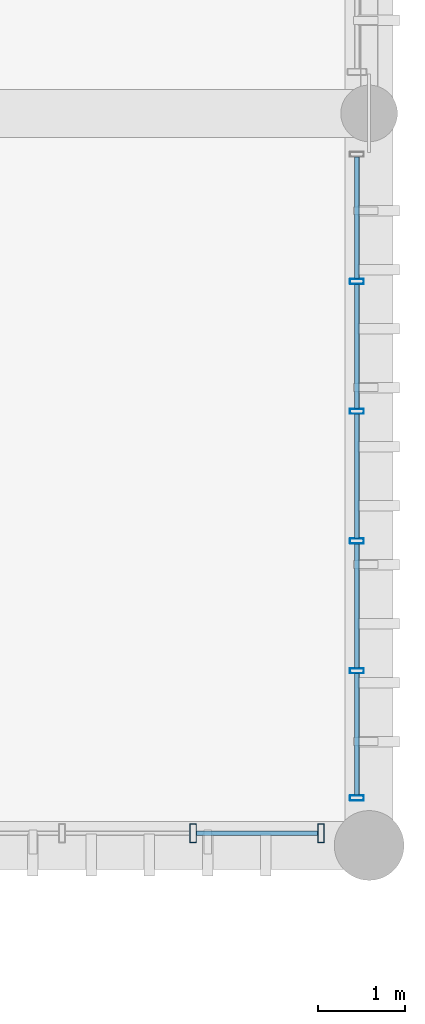
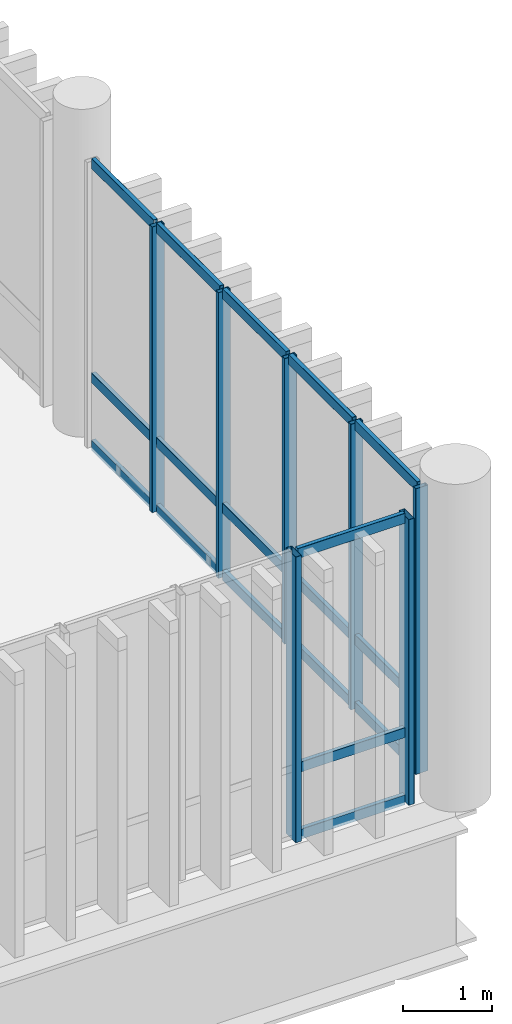
# One storey, part 31 of 53: 25 members, 2 elements without a shape of their own.
"""IFC4 building model written with IfcOpenShell, lengths in metres."""

from ifc_helpers import new_model, si_unit, direction, frame, origin_with_axes, origin_2d_with_axis, place, context, subcontext, project, spatial, hollow_rectangle, extrude, material, material_profile, profile_set, type_object, element, aggregate, save


model = new_model("IFC4")

# Units and contexts
model_context = context("Model", 3, precision=1e-05, world=origin_with_axes(), true_north=direction((0.0, 1.0)))
body_context = subcontext(model_context, "Body", "Model", "MODEL_VIEW")
ifc_project = project(units=[si_unit("LENGTHUNIT", "METRE"), si_unit("AREAUNIT", "SQUARE_METRE"), si_unit("VOLUMEUNIT", "CUBIC_METRE"), si_unit("PLANEANGLEUNIT", "RADIAN"), si_unit("MASSUNIT", "GRAM", prefix="KILO"), si_unit("THERMODYNAMICTEMPERATUREUNIT", "KELVIN")], contexts=[model_context])

# Site, building, storey
site_placement = place(None, origin_with_axes())
site = spatial("IfcSite", under=ifc_project, at=site_placement, CompositionType="ELEMENT")
building_placement = place(site_placement, origin_with_axes())
building = spatial("IfcBuilding", under=site, at=building_placement, Name="Montbau Bow Law Courts", CompositionType="ELEMENT")
storey_placement = place(building_placement, frame((0.0, 0.0, 39.0), z_axis=(0.0, 0.0, 1.0), x_axis=(1.0, 0.0, 0.0)))
storey = spatial("IfcBuildingStorey", under=building, at=storey_placement, Name="L08", CompositionType="ELEMENT", Elevation=39.0)

# Curtain wall, members
ifc_material = material(Name="Thermally Broken Extruded Aluminium AA 6063-T6", Category="aluminium")
curtain_wall_type = type_object("IfcCurtainWallType", Name="CW-CRM-03", PredefinedType="NOTDEFINED", material=ifc_material)
curtain_wall_1_placement = place(None, frame((162.868, 86.54, 39.0), z_axis=(0.0, 0.0, 1.0), x_axis=(1.0, 0.0, 0.0)))
curtain_wall_1 = element("IfcCurtainWall", 1, at=curtain_wall_1_placement, inside=storey, type_object=curtain_wall_type, Name="CW-L08-375:cw_0375", PredefinedType="NOTDEFINED")
ifc_material_profile_1 = material_profile(ifc_material, hollow_rectangle(XDim=0.075, YDim=0.22, WallThickness=0.005, InnerFilletRadius=0.01, OuterFilletRadius=0.005, at=origin_2d_with_axis()), Name="CWM-220X75", Category="Main", Priority=0)
ifc_profile_set_1 = profile_set([ifc_material_profile_1], Name="Thermally Broken Extruded Aluminium AA 6063-T6")
member_type_1 = type_object("IfcMemberType", Name="M-MUL-01", PredefinedType="MULLION", material=ifc_profile_set_1)
member_1_placement = place(None, frame((167.381, 86.54, 39.0), z_axis=(0.0, 0.0, 1.0), x_axis=(1.0, 0.0, 0.0)))
member_1 = element("IfcMember", 2, at=member_1_placement, type_object=member_type_1, Name="CW-L08-375-M04:cw_0375_M04", PredefinedType="MULLION", context=body_context, shape_type="SweptSolid", body=[
    extrude(hollow_rectangle(XDim=0.075, YDim=0.22, WallThickness=0.005, InnerFilletRadius=0.01, OuterFilletRadius=0.005, at=origin_2d_with_axis()), origin_with_axes(), (0.0, 0.0, 1.0), 3.92),
])
member_2_placement = place(None, frame((168.847, 86.54, 39.0), z_axis=(0.0, 0.0, 1.0), x_axis=(1.0, 0.0, 0.0)))
member_2 = element("IfcMember", 3, at=member_2_placement, type_object=member_type_1, Name="CW-L08-375-M05:cw_0375_M05", PredefinedType="MULLION", context=body_context, shape_type="SweptSolid", body=[
    extrude(hollow_rectangle(XDim=0.075, YDim=0.22, WallThickness=0.005, InnerFilletRadius=0.01, OuterFilletRadius=0.005, at=origin_2d_with_axis()), origin_with_axes(), (0.0, 0.0, 1.0), 3.92),
])

curtain_wall_2_placement = place(None, frame((169.26, 86.915, 39.0), z_axis=(0.0, 0.0, 1.0), x_axis=(1.0, 0.0, 0.0)))
curtain_wall_2 = element("IfcCurtainWall", 4, at=curtain_wall_2_placement, inside=storey, type_object=curtain_wall_type, Name="CW-L08-383:cw_0383", PredefinedType="NOTDEFINED")
ifc_material_profile_2 = material_profile(ifc_material, hollow_rectangle(XDim=0.06, YDim=0.16, WallThickness=0.004, InnerFilletRadius=0.008, OuterFilletRadius=0.004, at=origin_2d_with_axis()), Name="CWM-160X60", Category="Main", Priority=0)
ifc_profile_set_2 = profile_set([ifc_material_profile_2], Name="Thermally Broken Extruded Aluminium AA 6063-T6")
member_type_2 = type_object("IfcMemberType", Name="M-MUL-03", PredefinedType="MULLION", material=ifc_profile_set_2)
member_3_placement = place(None, frame((169.26, 86.945, 39.0), z_axis=(0.0, 0.0, 1.0), x_axis=(0.0, 1.0, 0.0)))
member_3 = element("IfcMember", 5, at=member_3_placement, type_object=member_type_2, Name="CW-L08-383-M01:cw_0383_M01", PredefinedType="MULLION", context=body_context, shape_type="SweptSolid", body=[
    extrude(hollow_rectangle(XDim=0.06, YDim=0.16, WallThickness=0.004, InnerFilletRadius=0.008, OuterFilletRadius=0.004, at=origin_2d_with_axis()), origin_with_axes(), (0.0, 0.0, 1.0), 3.92),
])
member_4_placement = place(None, frame((169.26, 88.404, 39.0), z_axis=(0.0, 0.0, 1.0), x_axis=(0.0, 1.0, 0.0)))
member_4 = element("IfcMember", 6, at=member_4_placement, type_object=member_type_2, Name="CW-L08-383-M02:cw_0383_M02", PredefinedType="MULLION", context=body_context, shape_type="SweptSolid", body=[
    extrude(hollow_rectangle(XDim=0.06, YDim=0.16, WallThickness=0.004, InnerFilletRadius=0.008, OuterFilletRadius=0.004, at=origin_2d_with_axis()), origin_with_axes(), (0.0, 0.0, 1.0), 3.92),
])
member_5_placement = place(None, frame((169.26, 89.893, 39.0), z_axis=(0.0, 0.0, 1.0), x_axis=(0.0, 1.0, 0.0)))
member_5 = element("IfcMember", 7, at=member_5_placement, type_object=member_type_2, Name="CW-L08-383-M03:cw_0383_M03", PredefinedType="MULLION", context=body_context, shape_type="SweptSolid", body=[
    extrude(hollow_rectangle(XDim=0.06, YDim=0.16, WallThickness=0.004, InnerFilletRadius=0.008, OuterFilletRadius=0.004, at=origin_2d_with_axis()), origin_with_axes(), (0.0, 0.0, 1.0), 3.92),
])
member_6_placement = place(None, frame((169.26, 91.382, 39.0), z_axis=(0.0, 0.0, 1.0), x_axis=(0.0, 1.0, 0.0)))
member_6 = element("IfcMember", 8, at=member_6_placement, type_object=member_type_2, Name="CW-L08-383-M04:cw_0383_M04", PredefinedType="MULLION", context=body_context, shape_type="SweptSolid", body=[
    extrude(hollow_rectangle(XDim=0.06, YDim=0.16, WallThickness=0.004, InnerFilletRadius=0.008, OuterFilletRadius=0.004, at=origin_2d_with_axis()), origin_with_axes(), (0.0, 0.0, 1.0), 3.92),
])
member_7_placement = place(None, frame((169.26, 92.871, 39.0), z_axis=(0.0, 0.0, 1.0), x_axis=(0.0, 1.0, 0.0)))
member_7 = element("IfcMember", 9, at=member_7_placement, type_object=member_type_2, Name="CW-L08-383-M05:cw_0383_M05", PredefinedType="MULLION", context=body_context, shape_type="SweptSolid", body=[
    extrude(hollow_rectangle(XDim=0.06, YDim=0.16, WallThickness=0.004, InnerFilletRadius=0.008, OuterFilletRadius=0.004, at=origin_2d_with_axis()), origin_with_axes(), (0.0, 0.0, 1.0), 3.92),
])

# Member
ifc_material_profile_3 = material_profile(ifc_material, hollow_rectangle(XDim=0.055, YDim=0.14, WallThickness=0.004, InnerFilletRadius=0.008, OuterFilletRadius=0.004, at=origin_2d_with_axis()), Name="CWT-140X55", Category="Main", Priority=0)
ifc_profile_set_3 = profile_set([ifc_material_profile_3], Name="Thermally Broken Extruded Aluminium AA 6063-T6")
member_type_3 = type_object("IfcMemberType", Name="M-TRN-02", PredefinedType="USERDEFINED", material=ifc_profile_set_3)
member_8_placement = place(None, frame((167.42, 86.54, 39.028), z_axis=(1.0, 0.0, 0.0), x_axis=(0.0, 1.0, 0.0)))
member_8 = element("IfcMember", 10, at=member_8_placement, type_object=member_type_3, Name="CW-L08-375-T04-1:cw_0375_T04_1", ObjectType="TRANSOM", PredefinedType="USERDEFINED", context=body_context, shape_type="SweptSolid", body=[
    extrude(hollow_rectangle(XDim=0.055, YDim=0.14, WallThickness=0.004, InnerFilletRadius=0.008, OuterFilletRadius=0.004, at=origin_2d_with_axis()), origin_with_axes(), (0.0, 0.0, 1.0), 1.388),
])

member_9_placement = place(None, frame((167.42, 86.54, 39.95), z_axis=(1.0, 0.0, 0.0), x_axis=(0.0, 1.0, 0.0)))
member_9 = element("IfcMember", 11, at=member_9_placement, type_object=member_type_3, Name="CW-L08-375-T04-2:cw_0375_T04_2", ObjectType="TRANSOM", PredefinedType="USERDEFINED", context=body_context, shape_type="SweptSolid", body=[
    extrude(hollow_rectangle(XDim=0.055, YDim=0.14, WallThickness=0.004, InnerFilletRadius=0.008, OuterFilletRadius=0.004, at=origin_2d_with_axis()), origin_with_axes(), (0.0, 0.0, 1.0), 1.388),
])

member_10_placement = place(None, frame((167.42, 86.54, 42.892), z_axis=(1.0, 0.0, 0.0), x_axis=(0.0, 1.0, 0.0)))
member_10 = element("IfcMember", 12, at=member_10_placement, type_object=member_type_3, Name="CW-L08-375-T04-3:cw_0375_T04_3", ObjectType="TRANSOM", PredefinedType="USERDEFINED", context=body_context, shape_type="SweptSolid", body=[
    extrude(hollow_rectangle(XDim=0.055, YDim=0.14, WallThickness=0.004, InnerFilletRadius=0.008, OuterFilletRadius=0.004, at=origin_2d_with_axis()), origin_with_axes(), (0.0, 0.0, 1.0), 1.388),
])

aggregate(curtain_wall_1, [member_1, member_2, member_8, member_9, member_10])

member_11_placement = place(None, frame((169.26, 86.977, 39.028), z_axis=(0.0, 1.0, 0.0), x_axis=(-1.0, 0.0, 0.0)))
member_11 = element("IfcMember", 13, at=member_11_placement, type_object=member_type_3, Name="CW-L08-383-T01-1:cw_0383_T01_1", ObjectType="TRANSOM", PredefinedType="USERDEFINED", context=body_context, shape_type="SweptSolid", body=[
    extrude(hollow_rectangle(XDim=0.055, YDim=0.14, WallThickness=0.004, InnerFilletRadius=0.008, OuterFilletRadius=0.004, at=origin_2d_with_axis()), origin_with_axes(), (0.0, 0.0, 1.0), 1.395),
])

member_12_placement = place(None, frame((169.26, 86.977, 39.95), z_axis=(0.0, 1.0, 0.0), x_axis=(-1.0, 0.0, 0.0)))
member_12 = element("IfcMember", 14, at=member_12_placement, type_object=member_type_3, Name="CW-L08-383-T01-2:cw_0383_T01_2", ObjectType="TRANSOM", PredefinedType="USERDEFINED", context=body_context, shape_type="SweptSolid", body=[
    extrude(hollow_rectangle(XDim=0.055, YDim=0.14, WallThickness=0.004, InnerFilletRadius=0.008, OuterFilletRadius=0.004, at=origin_2d_with_axis()), origin_with_axes(), (0.0, 0.0, 1.0), 1.395),
])

member_13_placement = place(None, frame((169.26, 86.977, 42.892), z_axis=(0.0, 1.0, 0.0), x_axis=(-1.0, 0.0, 0.0)))
member_13 = element("IfcMember", 15, at=member_13_placement, type_object=member_type_3, Name="CW-L08-383-T01-3:cw_0383_T01_3", ObjectType="TRANSOM", PredefinedType="USERDEFINED", context=body_context, shape_type="SweptSolid", body=[
    extrude(hollow_rectangle(XDim=0.055, YDim=0.14, WallThickness=0.004, InnerFilletRadius=0.008, OuterFilletRadius=0.004, at=origin_2d_with_axis()), origin_with_axes(), (0.0, 0.0, 1.0), 1.395),
])

member_14_placement = place(None, frame((169.26, 88.436, 39.028), z_axis=(0.0, 1.0, 0.0), x_axis=(-1.0, 0.0, 0.0)))
member_14 = element("IfcMember", 16, at=member_14_placement, type_object=member_type_3, Name="CW-L08-383-T02-1:cw_0383_T02_1", ObjectType="TRANSOM", PredefinedType="USERDEFINED", context=body_context, shape_type="SweptSolid", body=[
    extrude(hollow_rectangle(XDim=0.055, YDim=0.14, WallThickness=0.004, InnerFilletRadius=0.008, OuterFilletRadius=0.004, at=origin_2d_with_axis()), origin_with_axes(), (0.0, 0.0, 1.0), 1.425),
])

member_15_placement = place(None, frame((169.26, 88.436, 39.95), z_axis=(0.0, 1.0, 0.0), x_axis=(-1.0, 0.0, 0.0)))
member_15 = element("IfcMember", 17, at=member_15_placement, type_object=member_type_3, Name="CW-L08-383-T02-2:cw_0383_T02_2", ObjectType="TRANSOM", PredefinedType="USERDEFINED", context=body_context, shape_type="SweptSolid", body=[
    extrude(hollow_rectangle(XDim=0.055, YDim=0.14, WallThickness=0.004, InnerFilletRadius=0.008, OuterFilletRadius=0.004, at=origin_2d_with_axis()), origin_with_axes(), (0.0, 0.0, 1.0), 1.425),
])

member_16_placement = place(None, frame((169.26, 88.436, 42.892), z_axis=(0.0, 1.0, 0.0), x_axis=(-1.0, 0.0, 0.0)))
member_16 = element("IfcMember", 18, at=member_16_placement, type_object=member_type_3, Name="CW-L08-383-T02-3:cw_0383_T02_3", ObjectType="TRANSOM", PredefinedType="USERDEFINED", context=body_context, shape_type="SweptSolid", body=[
    extrude(hollow_rectangle(XDim=0.055, YDim=0.14, WallThickness=0.004, InnerFilletRadius=0.008, OuterFilletRadius=0.004, at=origin_2d_with_axis()), origin_with_axes(), (0.0, 0.0, 1.0), 1.425),
])

member_17_placement = place(None, frame((169.26, 89.925, 39.028), z_axis=(0.0, 1.0, 0.0), x_axis=(-1.0, 0.0, 0.0)))
member_17 = element("IfcMember", 19, at=member_17_placement, type_object=member_type_3, Name="CW-L08-383-T03-1:cw_0383_T03_1", ObjectType="TRANSOM", PredefinedType="USERDEFINED", context=body_context, shape_type="SweptSolid", body=[
    extrude(hollow_rectangle(XDim=0.055, YDim=0.14, WallThickness=0.004, InnerFilletRadius=0.008, OuterFilletRadius=0.004, at=origin_2d_with_axis()), origin_with_axes(), (0.0, 0.0, 1.0), 1.425),
])

member_18_placement = place(None, frame((169.26, 89.925, 39.95), z_axis=(0.0, 1.0, 0.0), x_axis=(-1.0, 0.0, 0.0)))
member_18 = element("IfcMember", 20, at=member_18_placement, type_object=member_type_3, Name="CW-L08-383-T03-2:cw_0383_T03_2", ObjectType="TRANSOM", PredefinedType="USERDEFINED", context=body_context, shape_type="SweptSolid", body=[
    extrude(hollow_rectangle(XDim=0.055, YDim=0.14, WallThickness=0.004, InnerFilletRadius=0.008, OuterFilletRadius=0.004, at=origin_2d_with_axis()), origin_with_axes(), (0.0, 0.0, 1.0), 1.425),
])

member_19_placement = place(None, frame((169.26, 89.925, 42.892), z_axis=(0.0, 1.0, 0.0), x_axis=(-1.0, 0.0, 0.0)))
member_19 = element("IfcMember", 21, at=member_19_placement, type_object=member_type_3, Name="CW-L08-383-T03-3:cw_0383_T03_3", ObjectType="TRANSOM", PredefinedType="USERDEFINED", context=body_context, shape_type="SweptSolid", body=[
    extrude(hollow_rectangle(XDim=0.055, YDim=0.14, WallThickness=0.004, InnerFilletRadius=0.008, OuterFilletRadius=0.004, at=origin_2d_with_axis()), origin_with_axes(), (0.0, 0.0, 1.0), 1.425),
])

member_20_placement = place(None, frame((169.26, 91.414, 39.028), z_axis=(0.0, 1.0, 0.0), x_axis=(-1.0, 0.0, 0.0)))
member_20 = element("IfcMember", 22, at=member_20_placement, type_object=member_type_3, Name="CW-L08-383-T04-1:cw_0383_T04_1", ObjectType="TRANSOM", PredefinedType="USERDEFINED", context=body_context, shape_type="SweptSolid", body=[
    extrude(hollow_rectangle(XDim=0.055, YDim=0.14, WallThickness=0.004, InnerFilletRadius=0.008, OuterFilletRadius=0.004, at=origin_2d_with_axis()), origin_with_axes(), (0.0, 0.0, 1.0), 1.425),
])

member_21_placement = place(None, frame((169.26, 91.414, 39.95), z_axis=(0.0, 1.0, 0.0), x_axis=(-1.0, 0.0, 0.0)))
member_21 = element("IfcMember", 23, at=member_21_placement, type_object=member_type_3, Name="CW-L08-383-T04-2:cw_0383_T04_2", ObjectType="TRANSOM", PredefinedType="USERDEFINED", context=body_context, shape_type="SweptSolid", body=[
    extrude(hollow_rectangle(XDim=0.055, YDim=0.14, WallThickness=0.004, InnerFilletRadius=0.008, OuterFilletRadius=0.004, at=origin_2d_with_axis()), origin_with_axes(), (0.0, 0.0, 1.0), 1.425),
])

member_22_placement = place(None, frame((169.26, 91.414, 42.892), z_axis=(0.0, 1.0, 0.0), x_axis=(-1.0, 0.0, 0.0)))
member_22 = element("IfcMember", 24, at=member_22_placement, type_object=member_type_3, Name="CW-L08-383-T04-3:cw_0383_T04_3", ObjectType="TRANSOM", PredefinedType="USERDEFINED", context=body_context, shape_type="SweptSolid", body=[
    extrude(hollow_rectangle(XDim=0.055, YDim=0.14, WallThickness=0.004, InnerFilletRadius=0.008, OuterFilletRadius=0.004, at=origin_2d_with_axis()), origin_with_axes(), (0.0, 0.0, 1.0), 1.425),
])

member_23_placement = place(None, frame((169.26, 92.903, 39.028), z_axis=(0.0, 1.0, 0.0), x_axis=(-1.0, 0.0, 0.0)))
member_23 = element("IfcMember", 25, at=member_23_placement, type_object=member_type_3, Name="CW-L08-383-T05-1:cw_0383_T05_1", ObjectType="TRANSOM", PredefinedType="USERDEFINED", context=body_context, shape_type="SweptSolid", body=[
    extrude(hollow_rectangle(XDim=0.055, YDim=0.14, WallThickness=0.004, InnerFilletRadius=0.008, OuterFilletRadius=0.004, at=origin_2d_with_axis()), origin_with_axes(), (0.0, 0.0, 1.0), 1.395),
])

member_24_placement = place(None, frame((169.26, 92.903, 39.95), z_axis=(0.0, 1.0, 0.0), x_axis=(-1.0, 0.0, 0.0)))
member_24 = element("IfcMember", 26, at=member_24_placement, type_object=member_type_3, Name="CW-L08-383-T05-2:cw_0383_T05_2", ObjectType="TRANSOM", PredefinedType="USERDEFINED", context=body_context, shape_type="SweptSolid", body=[
    extrude(hollow_rectangle(XDim=0.055, YDim=0.14, WallThickness=0.004, InnerFilletRadius=0.008, OuterFilletRadius=0.004, at=origin_2d_with_axis()), origin_with_axes(), (0.0, 0.0, 1.0), 1.395),
])

member_25_placement = place(None, frame((169.26, 92.903, 42.892), z_axis=(0.0, 1.0, 0.0), x_axis=(-1.0, 0.0, 0.0)))
member_25 = element("IfcMember", 27, at=member_25_placement, type_object=member_type_3, Name="CW-L08-383-T05-3:cw_0383_T05_3", ObjectType="TRANSOM", PredefinedType="USERDEFINED", context=body_context, shape_type="SweptSolid", body=[
    extrude(hollow_rectangle(XDim=0.055, YDim=0.14, WallThickness=0.004, InnerFilletRadius=0.008, OuterFilletRadius=0.004, at=origin_2d_with_axis()), origin_with_axes(), (0.0, 0.0, 1.0), 1.395),
])

aggregate(curtain_wall_2, [member_3, member_4, member_5, member_6, member_7, member_11, member_12, member_13, member_14, member_15, member_16, member_17, member_18, member_19, member_20, member_21, member_22, member_23, member_24, member_25])

save(model, "model.ifc")
